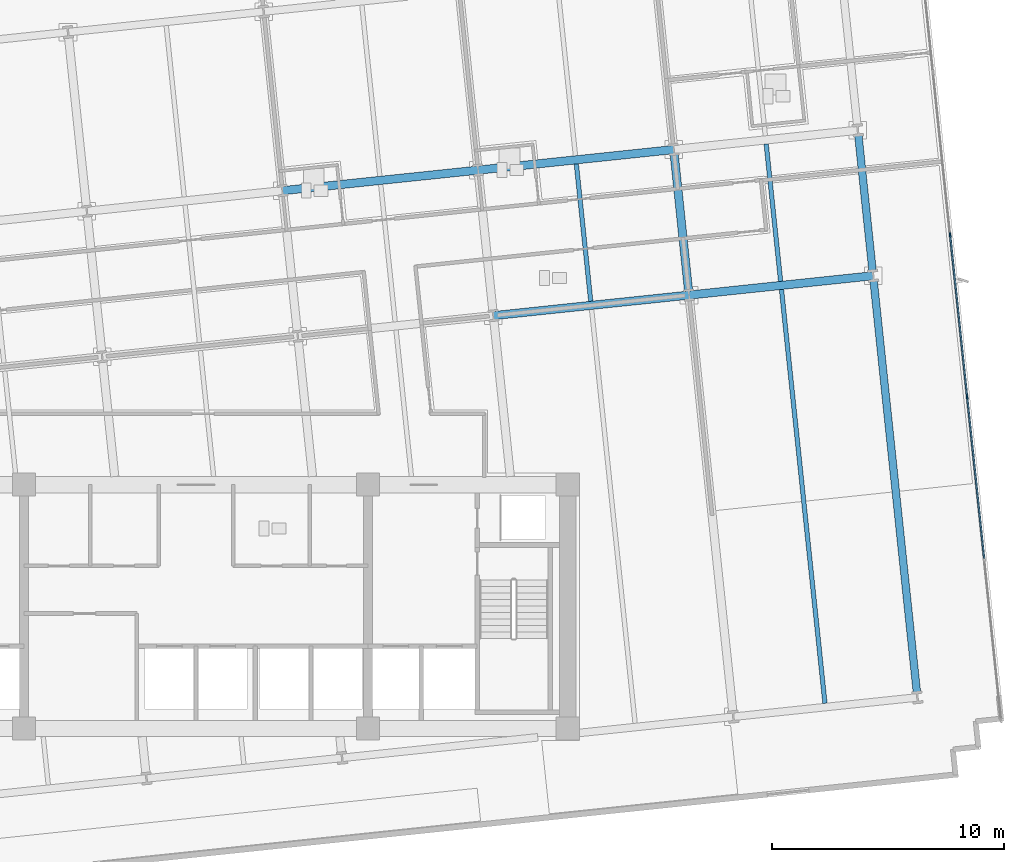
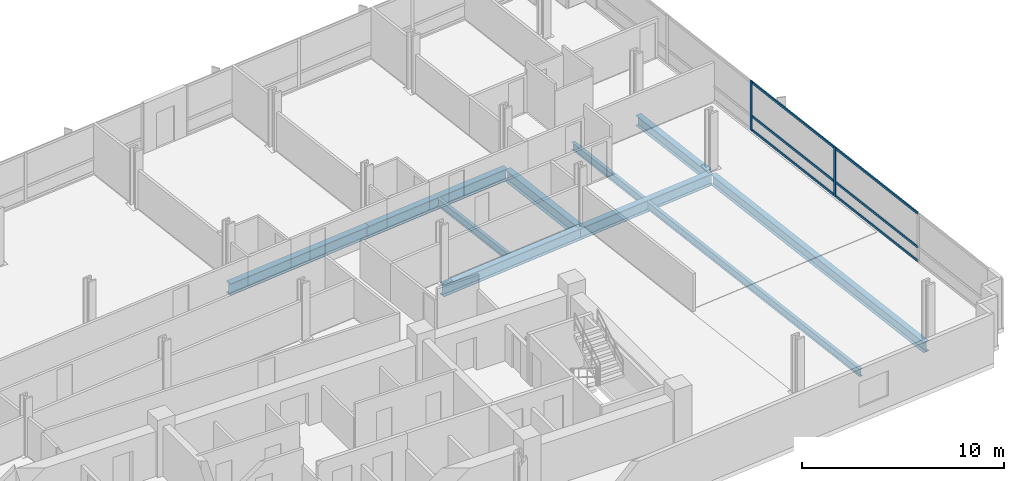
# One storey, part 5 of 18: 10 beams, 8 members, 1 element without a shape of its own.
"""IFC4 building model written with IfcOpenShell, lengths in metres."""

from ifc_helpers import new_model, si_unit, direction, frame, origin, origin_2d, place, context, subcontext, project, spatial, rectangle, i_section, extrude, material, material_profile, profile_set, type_object, element, aggregate, save


model = new_model("IFC4")

# Units and contexts
model_context = context("Model", 3, precision=1e-05, world=origin(), true_north=direction((0.0, 1.0)))
body_context = subcontext(model_context, "Body", "Model", "MODEL_VIEW")
ifc_project = project(units=[si_unit("LENGTHUNIT", "METRE"), si_unit("AREAUNIT", "SQUARE_METRE"), si_unit("VOLUMEUNIT", "CUBIC_METRE"), si_unit("PLANEANGLEUNIT", "RADIAN"), si_unit("MASSUNIT", "GRAM", prefix="KILO")], contexts=[model_context])

# Site, building, storey
site_placement = place(None, origin())
site = spatial("IfcSite", under=ifc_project, at=site_placement, CompositionType="ELEMENT")
building_placement = place(site_placement, origin())
building = spatial("IfcBuilding", under=site, at=building_placement, Name="Solmavex Isthmus Hotel", CompositionType="ELEMENT")
storey_placement = place(building_placement, frame((0.0, 0.0, 127.050048828125)))
storey = spatial("IfcBuildingStorey", under=building, at=storey_placement, Name="L34", CompositionType="ELEMENT", Elevation=127.050048828125)

# Beams
ifc_material_1 = material(Name="Steel ASTM A992 Grade 50", Category="steel")
ifc_material_profile_1 = material_profile(ifc_material_1, i_section(OverallWidth=0.354736328125, OverallDepth=0.695556640625, WebThickness=0.015380859375, FlangeThickness=0.02490234375, FilletRadius=0.017822265625, at=origin_2d()), Name="W27X146")
ifc_profile_set_1 = profile_set([ifc_material_profile_1], Name="Steel ASTM A992 Grade 50")
beam_type_1 = type_object("IfcBeamType", Name="BM-BG-W27X146", PredefinedType="BEAM", material=ifc_profile_set_1)
beam_1_placement = place(storey_placement, frame((12.800048828125, 4.7734375, -0.60791015625), z_axis=(0.994521085209, 0.104536171134, 0.0), x_axis=(-0.104536171134, 0.994521085209, 0.0)))
element("IfcBeam", 1, at=beam_1_placement, inside=storey, type_object=beam_type_1, Name="Floor Girder L34-UG11", PredefinedType="BEAM", context=body_context, shape_type="SweptSolid", body=[
    extrude(i_section(OverallWidth=0.354736328125, OverallDepth=0.695556640625, WebThickness=0.015380859375, FlangeThickness=0.02490234375, FilletRadius=0.017822265625, at=origin_2d()), origin(), (0.0, 0.0, 1.0), 8.466064453125),
])
beam_2_placement = place(storey_placement, frame((21.2197265625, 5.658447265625, -0.60791015625), z_axis=(0.994523402738, 0.104514120609, 0.0), x_axis=(-0.104514120609, 0.994523402738, 0.0)))
element("IfcBeam", 2, at=beam_2_placement, inside=storey, type_object=beam_type_1, Name="Floor Girder L34-UG12", PredefinedType="BEAM", context=body_context, shape_type="SweptSolid", body=[
    extrude(i_section(OverallWidth=0.354736328125, OverallDepth=0.695556640625, WebThickness=0.015380859375, FlangeThickness=0.02490234375, FilletRadius=0.017822265625, at=origin_2d()), origin(), (0.0, 0.0, 1.0), 7.968017578125),
])
for number, where, z_axis, x_axis, name in (
    (3, (3.72216796875, 10.152099609375, -0.60791015625), (0.994524082861, 0.104507648572, 0.0), (-0.104507648572, 0.994524082861, 0.0), "Floor Girder L34-UG16"),
    (4, (12.141845703125, 11.036865234375, -0.60791015625), (0.994521085209, 0.104536171134, 0.0), (-0.104536171134, 0.994521085209, 0.0), "Floor Girder L34-UG17"),
):
    element("IfcBeam", number, at=place(storey_placement, frame(where, z_axis=z_axis, x_axis=x_axis)), inside=storey, type_object=beam_type_1, Name=name, PredefinedType="BEAM", context=body_context, shape_type="SweptSolid", body=[
        extrude(i_section(OverallWidth=0.354736328125, OverallDepth=0.695556640625, WebThickness=0.015380859375, FlangeThickness=0.02490234375, FilletRadius=0.017822265625, at=origin_2d()), origin(), (0.0, 0.0, 1.0), 8.466064453125),
    ])
beam_3_placement = place(storey_placement, frame((21.201171875, 5.834716796875, -0.60791015625), z_axis=(-0.104505160346, 0.994524344328, 0.0), x_axis=(-0.994524344328, -0.104505160346, 0.0)))
element("IfcBeam", 5, at=beam_3_placement, inside=storey, type_object=beam_type_1, Name="Floor Beam L34-VG44", PredefinedType="BEAM", context=body_context, shape_type="SweptSolid", body=[
    extrude(i_section(OverallWidth=0.354736328125, OverallDepth=0.695556640625, WebThickness=0.015380859375, FlangeThickness=0.02490234375, FilletRadius=0.017822265625, at=origin_2d()), origin(), (0.0, 0.0, 1.0), 5.943115234375),
])
ifc_material_profile_2 = material_profile(ifc_material_1, i_section(OverallWidth=0.1904296875, OverallDepth=0.456787109375, WebThickness=0.009033203125, FlangeThickness=0.014404296875, FilletRadius=0.0126953125, at=origin_2d()), Name="W18X50")
ifc_profile_set_2 = profile_set([ifc_material_profile_2], Name="Steel ASTM A992 Grade 50")
beam_type_2 = type_object("IfcBeamType", Name="BM-BJ-W18X50", PredefinedType="JOIST", material=ifc_profile_set_2)
beam_4_placement = place(storey_placement, frame((16.991455078125, 5.392333984375, -0.488525390625), z_axis=(-0.104545790518, 0.994520074048, 0.0), x_axis=(-0.994520074048, -0.104545790518, 0.0)))
element("IfcBeam", 6, at=beam_4_placement, inside=storey, type_object=beam_type_2, Name="Secondary Floor Joist L34-J17", PredefinedType="JOIST", context=body_context, shape_type="SweptSolid", body=[
    extrude(i_section(OverallWidth=0.1904296875, OverallDepth=0.456787109375, WebThickness=0.009033203125, FlangeThickness=0.014404296875, FilletRadius=0.0126953125, at=origin_2d()), origin(), (0.0, 0.0, 1.0), 5.943115234375),
])
beam_5_placement = place(storey_placement, frame((27.072509765625, -11.912841796875, -0.488525390625), z_axis=(-0.104530088192, 0.99452172458, 0.0), x_axis=(-0.99452172458, -0.104530088192, 0.0)))
element("IfcBeam", 7, at=beam_5_placement, inside=storey, type_object=beam_type_2, Name="Secondary Floor Joist L34-J19", PredefinedType="JOIST", context=body_context, shape_type="SweptSolid", body=[
    extrude(i_section(OverallWidth=0.1904296875, OverallDepth=0.456787109375, WebThickness=0.009033203125, FlangeThickness=0.014404296875, FilletRadius=0.0126953125, at=origin_2d()), origin(), (0.0, 0.0, 1.0), 17.909423828125),
])
beam_6_placement = place(storey_placement, frame((25.163330078125, 6.251220703125, -0.488525390625), z_axis=(-0.104505160346, 0.994524344328, 0.0), x_axis=(-0.994524344328, -0.104505160346, 0.0)))
element("IfcBeam", 8, at=beam_6_placement, inside=storey, type_object=beam_type_2, Name="Secondary Floor Joist L34-J20", PredefinedType="JOIST", context=body_context, shape_type="SweptSolid", body=[
    extrude(i_section(OverallWidth=0.1904296875, OverallDepth=0.456787109375, WebThickness=0.009033203125, FlangeThickness=0.014404296875, FilletRadius=0.0126953125, at=origin_2d()), origin(), (0.0, 0.0, 1.0), 5.943115234375),
])
ifc_material_profile_3 = material_profile(ifc_material_1, i_section(OverallWidth=0.326416015625, OverallDepth=0.621826171875, WebThickness=0.015380859375, FlangeThickness=0.0244140625, FilletRadius=0.01513671875, at=origin_2d()), Name="W24X131")
ifc_profile_set_3 = profile_set([ifc_material_profile_3], Name="Steel ASTM A992 Grade 50")
beam_type_3 = type_object("IfcBeamType", Name="BM-SP-W24X131", PredefinedType="SPANDREL", material=ifc_profile_set_3)
beam_7_placement = place(storey_placement, frame((31.03466796875, -11.496337890625, -0.571044921875), z_axis=(-0.104530088192, 0.99452172458, 0.0), x_axis=(-0.99452172458, -0.104530088192, 0.0)))
element("IfcBeam", 9, at=beam_7_placement, inside=storey, type_object=beam_type_3, Name="Floor Beam L34-VG46", PredefinedType="SPANDREL", context=body_context, shape_type="SweptSolid", body=[
    extrude(i_section(OverallWidth=0.326416015625, OverallDepth=0.621826171875, WebThickness=0.015380859375, FlangeThickness=0.0244140625, FilletRadius=0.01513671875, at=origin_2d()), origin(), (0.0, 0.0, 1.0), 17.909423828125),
])
beam_8_placement = place(storey_placement, frame((29.12548828125, 6.667724609375, -0.571044921875), z_axis=(-0.104505160346, 0.994524344328, 0.0), x_axis=(-0.994524344328, -0.104505160346, 0.0)))
element("IfcBeam", 10, at=beam_8_placement, inside=storey, type_object=beam_type_3, Name="Floor Beam L34-VG47", PredefinedType="SPANDREL", context=body_context, shape_type="SweptSolid", body=[
    extrude(i_section(OverallWidth=0.326416015625, OverallDepth=0.621826171875, WebThickness=0.015380859375, FlangeThickness=0.0244140625, FilletRadius=0.01513671875, at=origin_2d()), origin(), (0.0, 0.0, 1.0), 5.943115234375),
])

# Curtain wall, members
ifc_material_2 = material(Name="Aluminium alloy 6063-T6", Category="aluminium")
curtain_wall_type = type_object("IfcCurtainWallType", Name="CW-SYS-03", PredefinedType="NOTDEFINED", material=ifc_material_2)
curtain_wall_placement = place(storey_placement, origin())
curtain_wall = element("IfcCurtainWall", 11, at=curtain_wall_placement, inside=storey, type_object=curtain_wall_type, Name="Stick Curtain Wall CWL-L34-E1", PredefinedType="NOTDEFINED")
ifc_material_profile_4 = material_profile(ifc_material_2, rectangle(XDim=0.070068359375, YDim=0.179931640625, at=origin_2d()), Name="CWM-70X180")
ifc_profile_set_4 = profile_set([ifc_material_profile_4], Name="Aluminium alloy 6063-T6")
member_type_1 = type_object("IfcMemberType", Name="CW-SYS-03-MUL", PredefinedType="MULLION", material=ifc_profile_set_4)
member_1_placement = place(storey_placement, frame((33.19140625, 1.275634765625, 0.0), z_axis=(0.0, 0.0, 1.0), x_axis=(-0.994521893044, -0.104528485381, 0.0)))
member_1 = element("IfcMember", 12, at=member_1_placement, type_object=member_type_1, Name="CW-03 mullion 3", PredefinedType="MULLION", context=body_context, shape_type="SweptSolid", body=[
    extrude(rectangle(XDim=0.070068359375, YDim=0.179931640625, at=origin_2d()), origin(), (0.0, 0.0, 1.0), 3.0),
])
member_2_placement = place(storey_placement, frame((32.45751953125, 8.25732421875, 0.0), z_axis=(0.0, 0.0, 1.0), x_axis=(-0.994521893044, -0.104528485381, 0.0)))
member_2 = element("IfcMember", 13, at=member_2_placement, type_object=member_type_1, Name="CW-03 mullion 4", PredefinedType="MULLION", context=body_context, shape_type="SweptSolid", body=[
    extrude(rectangle(XDim=0.070068359375, YDim=0.179931640625, at=origin_2d()), origin(), (0.0, 0.0, 1.0), 3.0),
])
ifc_material_profile_5 = material_profile(ifc_material_2, rectangle(XDim=0.070068359375, YDim=0.139892578125, at=origin_2d()), Name="CWT-70X140")
ifc_profile_set_5 = profile_set([ifc_material_profile_5], Name="Aluminium alloy 6063-T6")
member_type_2 = type_object("IfcMemberType", Name="CW-SYS-03-TRN", PredefinedType="USERDEFINED", material=ifc_profile_set_5)
member_3_placement = place(storey_placement, frame((33.921630859375, -5.6708984375, 0.070068359375), z_axis=(-0.104542152467, 0.99452045648, 0.0), x_axis=(-0.99452045648, -0.104542152467, 0.0)))
member_3 = element("IfcMember", 14, at=member_3_placement, type_object=member_type_2, Name="CW-03 transom 2.1", ObjectType="TRANSOM", PredefinedType="USERDEFINED", context=body_context, shape_type="SweptSolid", body=[
    extrude(rectangle(XDim=0.070068359375, YDim=0.139892578125, at=origin_2d()), origin(), (0.0, 0.0, 1.0), 6.949951171875),
])
member_4_placement = place(storey_placement, frame((33.921630859375, -5.6708984375, 0.89990234375), z_axis=(-0.104542152467, 0.99452045648, 0.0), x_axis=(-0.99452045648, -0.104542152467, 0.0)))
member_4 = element("IfcMember", 15, at=member_4_placement, type_object=member_type_2, Name="CW-03 transom 2.2", ObjectType="TRANSOM", PredefinedType="USERDEFINED", context=body_context, shape_type="SweptSolid", body=[
    extrude(rectangle(XDim=0.070068359375, YDim=0.139892578125, at=origin_2d()), origin(), (0.0, 0.0, 1.0), 6.949951171875),
])
member_5_placement = place(storey_placement, frame((33.921630859375, -5.6708984375, 2.929931640625), z_axis=(-0.104542152467, 0.99452045648, 0.0), x_axis=(-0.99452045648, -0.104542152467, 0.0)))
member_5 = element("IfcMember", 16, at=member_5_placement, type_object=member_type_2, Name="CW-03 transom 2.3", ObjectType="TRANSOM", PredefinedType="USERDEFINED", context=body_context, shape_type="SweptSolid", body=[
    extrude(rectangle(XDim=0.070068359375, YDim=0.139892578125, at=origin_2d()), origin(), (0.0, 0.0, 1.0), 6.949951171875),
])
member_6_placement = place(storey_placement, frame((33.187744140625, 1.310546875, 0.070068359375), z_axis=(-0.104542152467, 0.99452045648, 0.0), x_axis=(-0.99452045648, -0.104542152467, 0.0)))
member_6 = element("IfcMember", 17, at=member_6_placement, type_object=member_type_2, Name="CW-03 transom 3.1", ObjectType="TRANSOM", PredefinedType="USERDEFINED", context=body_context, shape_type="SweptSolid", body=[
    extrude(rectangle(XDim=0.070068359375, YDim=0.139892578125, at=origin_2d()), origin(), (0.0, 0.0, 1.0), 6.949951171875),
])
member_7_placement = place(storey_placement, frame((33.187744140625, 1.310546875, 0.89990234375), z_axis=(-0.104542152467, 0.99452045648, 0.0), x_axis=(-0.99452045648, -0.104542152467, 0.0)))
member_7 = element("IfcMember", 18, at=member_7_placement, type_object=member_type_2, Name="CW-03 transom 3.2", ObjectType="TRANSOM", PredefinedType="USERDEFINED", context=body_context, shape_type="SweptSolid", body=[
    extrude(rectangle(XDim=0.070068359375, YDim=0.139892578125, at=origin_2d()), origin(), (0.0, 0.0, 1.0), 6.949951171875),
])
member_8_placement = place(storey_placement, frame((33.187744140625, 1.310546875, 2.929931640625), z_axis=(-0.104542152467, 0.99452045648, 0.0), x_axis=(-0.99452045648, -0.104542152467, 0.0)))
member_8 = element("IfcMember", 19, at=member_8_placement, type_object=member_type_2, Name="CW-03 transom 3.3", ObjectType="TRANSOM", PredefinedType="USERDEFINED", context=body_context, shape_type="SweptSolid", body=[
    extrude(rectangle(XDim=0.070068359375, YDim=0.139892578125, at=origin_2d()), origin(), (0.0, 0.0, 1.0), 6.949951171875),
])
aggregate(curtain_wall, [member_1, member_2, member_3, member_4, member_5, member_6, member_7, member_8])

save(model, "model.ifc")
